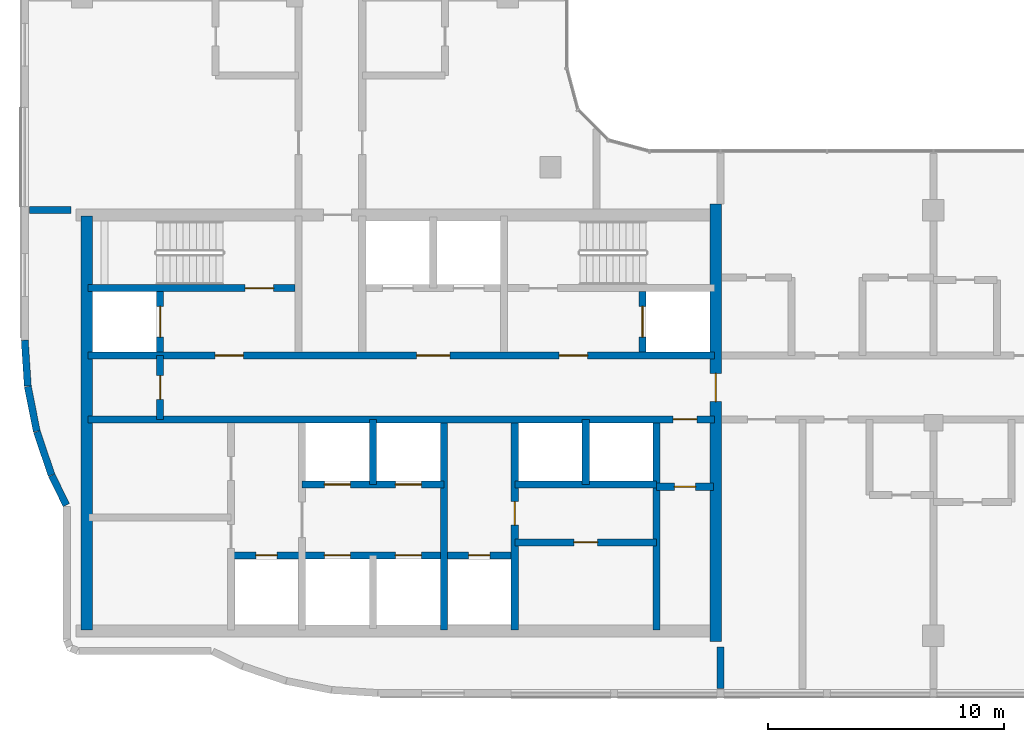
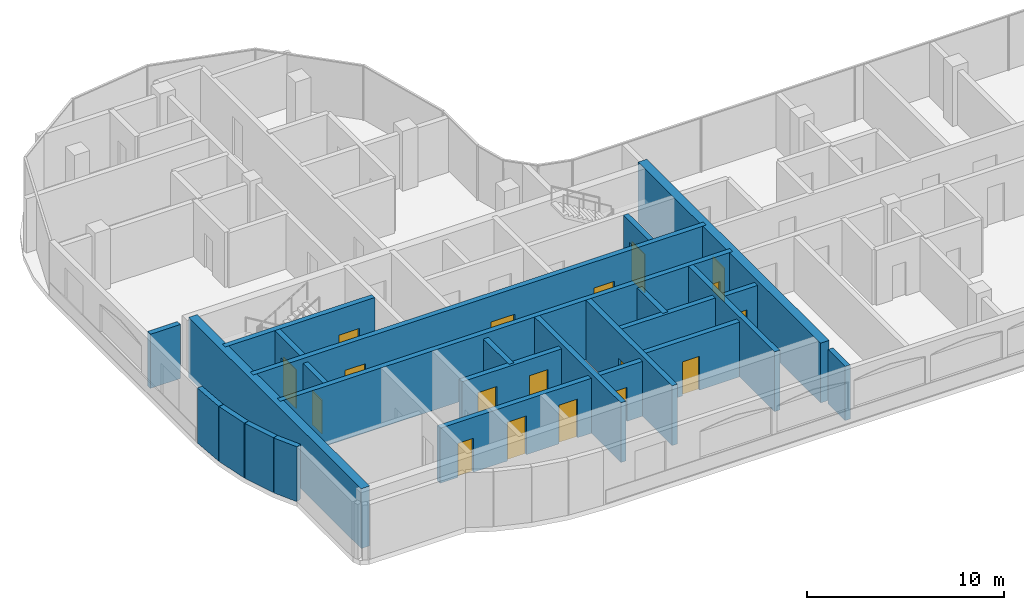
# One storey, part 9 of 18: 24 walls, 18 doors, 18 openings.
"""IFC4 building model written with IfcOpenShell, lengths in metres."""

from ifc_helpers import new_model, si_unit, direction, frame, frame_2d, origin, place, context, subcontext, project, spatial, rectangle, extrude, material, layer, layer_set, type_object, element, fill, save


model = new_model("IFC4")

# Units and contexts
model_context = context("Model", 3, precision=1e-05, world=origin(), true_north=direction((0.0, 1.0)))
body_context = subcontext(model_context, "Body", "Model", "MODEL_VIEW")
ifc_project = project(units=[si_unit("LENGTHUNIT", "METRE"), si_unit("AREAUNIT", "SQUARE_METRE"), si_unit("VOLUMEUNIT", "CUBIC_METRE"), si_unit("PLANEANGLEUNIT", "RADIAN"), si_unit("MASSUNIT", "GRAM", prefix="KILO")], contexts=[model_context])

# Site, building, storey
site_placement = place(None, origin())
site = spatial("IfcSite", under=ifc_project, at=site_placement, CompositionType="ELEMENT")
building_placement = place(site_placement, origin())
building = spatial("IfcBuilding", under=site, at=building_placement, Name="Ogive Portal Towers", CompositionType="ELEMENT")
storey_placement = place(building_placement, frame((0.0, 0.0, 240.199951171875)))
storey = spatial("IfcBuildingStorey", under=building, at=storey_placement, Name="L60", CompositionType="ELEMENT", Elevation=240.199951171875)

# Wall
ifc_material_1 = material(Name="Concrete C60/75", Category="concrete")
ifc_layer_1 = layer(ifc_material_1, 0.300048828125)
ifc_layer_set_1 = layer_set([ifc_layer_1], Name="CORE WALL 300 C60")
wall_type_1 = type_object("IfcWallType", Name="CORE WALL 300 C60", PredefinedType="SHEAR", material=ifc_layer_set_1)
wall_1_placement = place(storey_placement, frame((46.800048828125, 21.75, 0.0), z_axis=(0.0, 0.0, 1.0), x_axis=(0.0, 1.0, 0.0)))
element("IfcWall", 1, at=wall_1_placement, inside=storey, type_object=wall_type_1, Name="Core wall X3 L60", PredefinedType="SHEAR", context=body_context, shape_type="SweptSolid", body=[
    extrude(rectangle(XDim=8.75, YDim=0.300048828125, at=frame_2d((4.375, 0.0))), origin(), (0.0, 0.0, 1.0), 3.699951171875),
])

# Wall, opening, door
wall_2_placement = place(storey_placement, frame((49.800048828125, 21.75, 0.0), z_axis=(0.0, 0.0, 1.0), x_axis=(0.0, 1.0, 0.0)))
wall_2 = element("IfcWall", 2, at=wall_2_placement, inside=storey, type_object=wall_type_1, Name="Core wall X4 L60", PredefinedType="SHEAR", context=body_context, shape_type="SweptSolid", body=[
    extrude(rectangle(XDim=8.75, YDim=0.300048828125, at=frame_2d((4.375, 0.0))), origin(), (0.0, 0.0, 1.0), 3.699951171875),
])
opening_1_placement = place(wall_2_placement, frame((4.425048828125, 0.0, 0.0)))
opening_1 = element("IfcOpeningElement", 3, at=opening_1_placement, cuts=wall_2, Name="Opening D26-023", PredefinedType="OPENING", context=body_context, shape_type="SweptSolid", body=[
    extrude(rectangle(XDim=1.0, YDim=2.10009765625, at=frame_2d((0.5, 1.050048828125))), frame((0.0, 0.16015625, 0.0), z_axis=(0.0, -1.0, 0.0), x_axis=(1.0, 0.0, 0.0)), (0.0, 0.0, 1.0), 0.320068359375),
])
ifc_material_2 = material(Name="Steel fire door", Category="steel")
door_type_1 = type_object("IfcDoorType", Name="DT-SWING-1000x2100-FD90S", OperationType="SINGLE_SWING_LEFT", PredefinedType="DOOR", material=ifc_material_2)
door_1_placement = place(opening_1_placement, origin())
door_1 = element("IfcDoor", 4, at=door_1_placement, inside=storey, type_object=door_type_1, Name="Door D26-023", OperationType="SINGLE_SWING_LEFT", OverallHeight=2.10009765625, OverallWidth=1.0, PredefinedType="DOOR", context=body_context, shape_type="SweptSolid", body=[
    extrude(rectangle(XDim=1.0, YDim=2.10009765625, at=frame_2d((0.5, 1.050048828125))), frame((0.0, 0.02490234375, 0.0), z_axis=(0.0, -1.0, 0.0), x_axis=(1.0, 0.0, 0.0)), (0.0, 0.0, 1.0), 0.050048828125),
])
fill(opening_1, door_1)

# Wall
wall_3_placement = place(storey_placement, frame((55.800048828125, 21.75, 0.0), z_axis=(0.0, 0.0, 1.0), x_axis=(0.0, 1.0, 0.0)))
element("IfcWall", 5, at=wall_3_placement, inside=storey, type_object=wall_type_1, Name="Core wall X5 L60", PredefinedType="SHEAR", context=body_context, shape_type="SweptSolid", body=[
    extrude(rectangle(XDim=8.75, YDim=0.300048828125, at=frame_2d((4.375, 0.0))), origin(), (0.0, 0.0, 1.0), 3.699951171875),
])

# Wall, opening, door
wall_4_placement = place(storey_placement, frame((31.75, 30.64990234375, 0.0), z_axis=(0.0, 0.0, 1.0), x_axis=(1.0, 0.0, 0.0)))
wall_4 = element("IfcWall", 6, at=wall_4_placement, inside=storey, type_object=wall_type_1, Name="Core wall Y1 L60", PredefinedType="SHEAR", context=body_context, shape_type="SweptSolid", body=[
    extrude(rectangle(XDim=26.5, YDim=0.300048828125, at=frame_2d((13.25, 0.0))), origin(), (0.0, 0.0, 1.0), 3.699951171875),
])
opening_2_placement = place(wall_4_placement, frame((24.75, 0.0, 0.0)))
opening_2 = element("IfcOpeningElement", 7, at=opening_2_placement, cuts=wall_4, Name="Opening D26-009", PredefinedType="OPENING", context=body_context, shape_type="SweptSolid", body=[
    extrude(rectangle(XDim=1.0, YDim=2.10009765625, at=frame_2d((0.5, 1.050048828125))), frame((0.0, 0.16015625, 0.0), z_axis=(0.0, -1.0, 0.0), x_axis=(1.0, 0.0, 0.0)), (0.0, 0.0, 1.0), 0.320068359375),
])
door_2_placement = place(opening_2_placement, origin())
door_2 = element("IfcDoor", 8, at=door_2_placement, inside=storey, type_object=door_type_1, Name="Door D26-009", OperationType="SINGLE_SWING_LEFT", OverallHeight=2.10009765625, OverallWidth=1.0, PredefinedType="DOOR", context=body_context, shape_type="SweptSolid", body=[
    extrude(rectangle(XDim=1.0, YDim=2.10009765625, at=frame_2d((0.5, 1.050048828125))), frame((0.0, 0.02490234375, 0.0), z_axis=(0.0, -1.0, 0.0), x_axis=(1.0, 0.0, 0.0)), (0.0, 0.0, 1.0), 0.050048828125),
])
fill(opening_2, door_2)

# Wall, openings, doors
wall_5_placement = place(storey_placement, frame((31.75, 33.35009765625, 0.0), z_axis=(0.0, 0.0, 1.0), x_axis=(1.0, 0.0, 0.0)))
wall_5 = element("IfcWall", 9, at=wall_5_placement, inside=storey, type_object=wall_type_1, Name="Core wall Y2 L60", PredefinedType="SHEAR", context=body_context, shape_type="SweptSolid", body=[
    extrude(rectangle(XDim=26.5, YDim=0.300048828125, at=frame_2d((13.25, 0.0))), origin(), (0.0, 0.0, 1.0), 3.699951171875),
])
opening_3_placement = place(wall_5_placement, frame((13.89990234375, 0.0, 0.0)))
opening_3 = element("IfcOpeningElement", 10, at=opening_3_placement, cuts=wall_5, Name="Opening D26-002", PredefinedType="OPENING", context=body_context, shape_type="SweptSolid", body=[
    extrude(rectangle(XDim=1.39990234375, YDim=2.10009765625, at=frame_2d((0.699951171875, 1.050048828125))), frame((0.0, 0.16015625, 0.0), z_axis=(0.0, -1.0, 0.0), x_axis=(1.0, 0.0, 0.0)), (0.0, 0.0, 1.0), 0.320068359375),
])
opening_4_placement = place(wall_5_placement, frame((5.375, 0.0, 0.0)))
opening_4 = element("IfcOpeningElement", 11, at=opening_4_placement, cuts=wall_5, Name="Opening D26-003", PredefinedType="OPENING", context=body_context, shape_type="SweptSolid", body=[
    extrude(rectangle(XDim=1.199951171875, YDim=2.10009765625, at=frame_2d((0.60009765625, 1.050048828125))), frame((0.0, 0.16015625, 0.0), z_axis=(0.0, -1.0, 0.0), x_axis=(1.0, 0.0, 0.0)), (0.0, 0.0, 1.0), 0.320068359375),
])
opening_5_placement = place(wall_5_placement, frame((19.925048828125, 0.0, 0.0)))
opening_5 = element("IfcOpeningElement", 12, at=opening_5_placement, cuts=wall_5, Name="Opening D26-004", PredefinedType="OPENING", context=body_context, shape_type="SweptSolid", body=[
    extrude(rectangle(XDim=1.199951171875, YDim=2.10009765625, at=frame_2d((0.60009765625, 1.050048828125))), frame((0.0, 0.16015625, 0.0), z_axis=(0.0, -1.0, 0.0), x_axis=(1.0, 0.0, 0.0)), (0.0, 0.0, 1.0), 0.320068359375),
])
door_type_2 = type_object("IfcDoorType", Name="DT-SWING-1200x2100-FD90S", OperationType="SINGLE_SWING_LEFT", PredefinedType="DOOR", material=ifc_material_2)
door_3_placement = place(opening_4_placement, origin())
door_3 = element("IfcDoor", 13, at=door_3_placement, inside=storey, type_object=door_type_2, Name="Door D26-003", OperationType="SINGLE_SWING_LEFT", OverallHeight=2.10009765625, OverallWidth=1.199951171875, PredefinedType="DOOR", context=body_context, shape_type="SweptSolid", body=[
    extrude(rectangle(XDim=1.199951171875, YDim=2.10009765625, at=frame_2d((0.60009765625, 1.050048828125))), frame((0.0, 0.02490234375, 0.0), z_axis=(0.0, -1.0, 0.0), x_axis=(1.0, 0.0, 0.0)), (0.0, 0.0, 1.0), 0.050048828125),
])
fill(opening_4, door_3)
door_4_placement = place(opening_5_placement, origin())
door_4 = element("IfcDoor", 14, at=door_4_placement, inside=storey, type_object=door_type_2, Name="Door D26-004", OperationType="SINGLE_SWING_RIGHT", OverallHeight=2.10009765625, OverallWidth=1.199951171875, PredefinedType="DOOR", context=body_context, shape_type="SweptSolid", body=[
    extrude(rectangle(XDim=1.199951171875, YDim=2.10009765625, at=frame_2d((0.60009765625, 1.050048828125))), frame((0.0, 0.02490234375, 0.0), z_axis=(0.0, -1.0, 0.0), x_axis=(1.0, 0.0, 0.0)), (0.0, 0.0, 1.0), 0.050048828125),
])
fill(opening_5, door_4)
door_type_3 = type_object("IfcDoorType", Name="DT-SWING-1400x2100-FD90S", OperationType="SINGLE_SWING_LEFT", PredefinedType="DOOR", material=ifc_material_2)
door_5_placement = place(opening_3_placement, origin())
door_5 = element("IfcDoor", 15, at=door_5_placement, inside=storey, type_object=door_type_3, Name="Door D26-002", OperationType="SINGLE_SWING_RIGHT", OverallHeight=2.10009765625, OverallWidth=1.39990234375, PredefinedType="DOOR", context=body_context, shape_type="SweptSolid", body=[
    extrude(rectangle(XDim=1.39990234375, YDim=2.10009765625, at=frame_2d((0.699951171875, 1.050048828125))), frame((0.0, 0.02490234375, 0.0), z_axis=(0.0, -1.0, 0.0), x_axis=(1.0, 0.0, 0.0)), (0.0, 0.0, 1.0), 0.050048828125),
])
fill(opening_3, door_5)

# Wall, opening, door
wall_6_placement = place(storey_placement, frame((31.75, 36.199951171875, 0.0), z_axis=(0.0, 0.0, 1.0), x_axis=(1.0, 0.0, 0.0)))
wall_6 = element("IfcWall", 16, at=wall_6_placement, inside=storey, type_object=wall_type_1, Name="Core wall Y3a L60", PredefinedType="SHEAR", context=body_context, shape_type="SweptSolid", body=[
    extrude(rectangle(XDim=8.75, YDim=0.300048828125, at=frame_2d((4.375, 0.0))), origin(), (0.0, 0.0, 1.0), 3.699951171875),
])
opening_6_placement = place(wall_6_placement, frame((6.64990234375, 0.0, 0.0)))
opening_6 = element("IfcOpeningElement", 17, at=opening_6_placement, cuts=wall_6, Name="Opening D26-005", PredefinedType="OPENING", context=body_context, shape_type="SweptSolid", body=[
    extrude(rectangle(XDim=1.199951171875, YDim=2.10009765625, at=frame_2d((0.60009765625, 1.050048828125))), frame((0.0, 0.16015625, 0.0), z_axis=(0.0, -1.0, 0.0), x_axis=(1.0, 0.0, 0.0)), (0.0, 0.0, 1.0), 0.320068359375),
])
door_6_placement = place(opening_6_placement, origin())
door_6 = element("IfcDoor", 18, at=door_6_placement, inside=storey, type_object=door_type_2, Name="Door D26-005", OperationType="SINGLE_SWING_RIGHT", OverallHeight=2.10009765625, OverallWidth=1.199951171875, PredefinedType="DOOR", context=body_context, shape_type="SweptSolid", body=[
    extrude(rectangle(XDim=1.199951171875, YDim=2.10009765625, at=frame_2d((0.60009765625, 1.050048828125))), frame((0.0, 0.02490234375, 0.0), z_axis=(0.0, -1.0, 0.0), x_axis=(1.0, 0.0, 0.0)), (0.0, 0.0, 1.0), 0.050048828125),
])
fill(opening_6, door_6)

wall_7_placement = place(storey_placement, frame((34.800048828125, 33.5, 0.0), z_axis=(0.0, 0.0, 1.0), x_axis=(0.0, 1.0, 0.0)))
wall_7 = element("IfcWall", 19, at=wall_7_placement, inside=storey, type_object=wall_type_1, Name="Core wall X8 L60", PredefinedType="SHEAR", context=body_context, shape_type="SweptSolid", body=[
    extrude(rectangle(XDim=2.550048828125, YDim=0.300048828125, at=frame_2d((1.27490234375, 0.0))), origin(), (0.0, 0.0, 1.0), 3.699951171875),
])
opening_7_placement = place(wall_7_placement, frame((0.625, 0.0, 0.0)))
opening_7 = element("IfcOpeningElement", 20, at=opening_7_placement, cuts=wall_7, Name="Opening D26-019", PredefinedType="OPENING", context=body_context, shape_type="SweptSolid", body=[
    extrude(rectangle(XDim=1.300048828125, YDim=2.39990234375, at=frame_2d((0.64990234375, 1.199951171875))), frame((0.0, 0.16015625, 0.0), z_axis=(0.0, -1.0, 0.0), x_axis=(1.0, 0.0, 0.0)), (0.0, 0.0, 1.0), 0.320068359375),
])
ifc_material_3 = material(Name="Stainless steel", Category="steel")
door_type_4 = type_object("IfcDoorType", Name="DT-LD-1300x2400", OperationType="SLIDING_TO_LEFT", PredefinedType="DOOR", material=ifc_material_3)
door_7_placement = place(opening_7_placement, origin())
door_7 = element("IfcDoor", 21, at=door_7_placement, inside=storey, type_object=door_type_4, Name="Door D26-019", OperationType="SLIDING_TO_LEFT", OverallHeight=2.39990234375, OverallWidth=1.300048828125, PredefinedType="DOOR", context=body_context, shape_type="SweptSolid", body=[
    extrude(rectangle(XDim=1.300048828125, YDim=2.39990234375, at=frame_2d((0.64990234375, 1.199951171875))), frame((0.0, 0.02490234375, 0.0), z_axis=(0.0, -1.0, 0.0), x_axis=(1.0, 0.0, 0.0)), (0.0, 0.0, 1.0), 0.050048828125),
])
fill(opening_7, door_7)

wall_8_placement = place(storey_placement, frame((55.199951171875, 33.5, 0.0), z_axis=(0.0, 0.0, 1.0), x_axis=(0.0, 1.0, 0.0)))
wall_8 = element("IfcWall", 22, at=wall_8_placement, inside=storey, type_object=wall_type_1, Name="Core wall X10 L60", PredefinedType="SHEAR", context=body_context, shape_type="SweptSolid", body=[
    extrude(rectangle(XDim=2.550048828125, YDim=0.300048828125, at=frame_2d((1.27490234375, 0.0))), origin(), (0.0, 0.0, 1.0), 3.699951171875),
])
opening_8_placement = place(wall_8_placement, frame((0.625, 0.0, 0.0)))
opening_8 = element("IfcOpeningElement", 23, at=opening_8_placement, cuts=wall_8, Name="Opening D26-020", PredefinedType="OPENING", context=body_context, shape_type="SweptSolid", body=[
    extrude(rectangle(XDim=1.300048828125, YDim=2.39990234375, at=frame_2d((0.64990234375, 1.199951171875))), frame((0.0, 0.16015625, 0.0), z_axis=(0.0, -1.0, 0.0), x_axis=(1.0, 0.0, 0.0)), (0.0, 0.0, 1.0), 0.320068359375),
])
door_8_placement = place(opening_8_placement, origin())
door_8 = element("IfcDoor", 24, at=door_8_placement, inside=storey, type_object=door_type_4, Name="Door D26-020", OperationType="SLIDING_TO_LEFT", OverallHeight=2.39990234375, OverallWidth=1.300048828125, PredefinedType="DOOR", context=body_context, shape_type="SweptSolid", body=[
    extrude(rectangle(XDim=1.300048828125, YDim=2.39990234375, at=frame_2d((0.64990234375, 1.199951171875))), frame((0.0, 0.02490234375, 0.0), z_axis=(0.0, -1.0, 0.0), x_axis=(1.0, 0.0, 0.0)), (0.0, 0.0, 1.0), 0.050048828125),
])
fill(opening_8, door_8)

# Wall
ifc_layer_2 = layer(ifc_material_1, 0.5)
ifc_layer_set_2 = layer_set([ifc_layer_2], Name="CORE WALL 500 C60")
wall_type_2 = type_object("IfcWallType", Name="CORE WALL 500 C60", PredefinedType="SHEAR", material=ifc_layer_set_2)
wall_9_placement = place(storey_placement, frame((31.699951171875, 21.75, 0.0), z_axis=(0.0, 0.0, 1.0), x_axis=(0.0, 1.0, 0.0)))
element("IfcWall", 25, at=wall_9_placement, inside=storey, type_object=wall_type_2, Name="Core wall W L60", PredefinedType="SHEAR", context=body_context, shape_type="SweptSolid", body=[
    extrude(rectangle(XDim=17.5, YDim=0.5, at=frame_2d((8.75, 0.0))), origin(), (0.0, 0.0, 1.0), 3.699951171875),
])

# Wall, opening, door
wall_10_placement = place(storey_placement, frame((58.300048828125, 21.25, 0.0), z_axis=(0.0, 0.0, 1.0), x_axis=(0.0, 1.0, 0.0)))
wall_10 = element("IfcWall", 26, at=wall_10_placement, inside=storey, type_object=wall_type_2, Name="Core wall E L60", PredefinedType="SHEAR", context=body_context, shape_type="SweptSolid", body=[
    extrude(rectangle(XDim=18.5, YDim=0.5, at=frame_2d((9.25, 0.0))), origin(), (0.0, 0.0, 1.0), 3.699951171875),
])
opening_9_placement = place(wall_10_placement, frame((10.14990234375, 0.0, 0.0)))
opening_9 = element("IfcOpeningElement", 27, at=opening_9_placement, cuts=wall_10, Name="Opening D26-011", PredefinedType="OPENING", context=body_context, shape_type="SweptSolid", body=[
    extrude(rectangle(XDim=1.199951171875, YDim=2.10009765625, at=frame_2d((0.60009765625, 1.050048828125))), frame((0.0, 0.260009765625, 0.0), z_axis=(0.0, -1.0, 0.0), x_axis=(1.0, 0.0, 0.0)), (0.0, 0.0, 1.0), 0.52001953125),
])
door_9_placement = place(opening_9_placement, origin())
door_9 = element("IfcDoor", 28, at=door_9_placement, inside=storey, type_object=door_type_2, Name="Door D26-011", OperationType="SINGLE_SWING_LEFT", OverallHeight=2.10009765625, OverallWidth=1.199951171875, PredefinedType="DOOR", context=body_context, shape_type="SweptSolid", body=[
    extrude(rectangle(XDim=1.199951171875, YDim=2.10009765625, at=frame_2d((0.60009765625, 1.050048828125))), frame((0.0, 0.02490234375, 0.0), z_axis=(0.0, -1.0, 0.0), x_axis=(1.0, 0.0, 0.0)), (0.0, 0.0, 1.0), 0.050048828125),
])
fill(opening_9, door_9)

# Walls
ifc_material_4 = material(Name="Limestone cladding on lightweight block wall", Category="masonry")
ifc_layer_3 = layer(ifc_material_4, 0.300048828125)
ifc_layer_set_3 = layer_set([ifc_layer_3], Name="EXTERNAL WALL 300 STONE")
wall_type_3 = type_object("IfcWallType", Name="EXTERNAL WALL 300 STONE", PredefinedType="SOLIDWALL", material=ifc_layer_set_3)
wall_11_placement = place(storey_placement, frame((29.075439453125, 34.0, 0.0), z_axis=(0.0, 0.0, 1.0), x_axis=(0.065359381612, -0.997861789646, 0.0)))
element("IfcWall", 29, at=wall_11_placement, inside=storey, type_object=wall_type_3, Name="A:L60:f28:r0:wall", PredefinedType="SOLIDWALL", context=body_context, shape_type="SweptSolid", body=[
    extrude(rectangle(XDim=1.9423828125, YDim=0.300048828125, at=frame_2d((0.97119140625, 0.0))), origin(), (0.0, 0.0, 1.0), 3.400146484375),
])
wall_12_placement = place(storey_placement, frame((29.204833984375, 32.042236328125, 0.0), z_axis=(0.0, 0.0, 1.0), x_axis=(0.195192806162, -0.980764889473, 0.0)))
element("IfcWall", 30, at=wall_12_placement, inside=storey, type_object=wall_type_3, Name="A:L60:f29:r0:wall", PredefinedType="SOLIDWALL", context=body_context, shape_type="SweptSolid", body=[
    extrude(rectangle(XDim=1.932373046875, YDim=0.300048828125, at=frame_2d((0.96630859375, 0.0))), origin(), (0.0, 0.0, 1.0), 3.400146484375),
])
wall_13_placement = place(storey_placement, frame((29.5869140625, 30.1279296875, 0.0), z_axis=(0.0, 0.0, 1.0), x_axis=(0.321490535672, -0.946912791905, 0.0)))
element("IfcWall", 31, at=wall_13_placement, inside=storey, type_object=wall_type_3, Name="A:L60:f30:r0:wall", PredefinedType="SOLIDWALL", context=body_context, shape_type="SweptSolid", body=[
    extrude(rectangle(XDim=1.9326171875, YDim=0.300048828125, at=frame_2d((0.96630859375, 0.0))), origin(), (0.0, 0.0, 1.0), 3.400146484375),
])
wall_14_placement = place(storey_placement, frame((30.2158203125, 28.27978515625, 0.0), z_axis=(0.0, 0.0, 1.0), x_axis=(0.442180959254, -0.896925860522, 0.0)))
element("IfcWall", 32, at=wall_14_placement, inside=storey, type_object=wall_type_3, Name="A:L60:f31:r0:wall", PredefinedType="SOLIDWALL", context=body_context, shape_type="SweptSolid", body=[
    extrude(rectangle(XDim=1.399169921875, YDim=0.300048828125, at=frame_2d((0.69970703125, 0.0))), origin(), (0.0, 0.0, 1.0), 3.400146484375),
])

# Wall, opening, door
ifc_material_5 = material(Name="Gypsum board partition on steel studs", Category="steel")
ifc_layer_4 = layer(ifc_material_5, 0.300048828125)
ifc_layer_set_4 = layer_set([ifc_layer_4], Name="WT-PART-300")
wall_type_4 = type_object("IfcWallType", Name="WT-PART-300", PredefinedType="PARTITIONING", material=ifc_layer_set_4)
wall_15_placement = place(storey_placement, frame((49.800048828125, 25.449951171875, 0.0), z_axis=(0.0, 0.0, 1.0), x_axis=(1.0, 0.0, 0.0)))
wall_15 = element("IfcWall", 33, at=wall_15_placement, inside=storey, type_object=wall_type_4, Name="Wall pw:002:L60", PredefinedType="PARTITIONING", context=body_context, shape_type="SweptSolid", body=[
    extrude(rectangle(XDim=6.0, YDim=0.300048828125, at=frame_2d((3.0, 0.0))), origin(), (0.0, 0.0, 1.0), 3.400146484375),
])
opening_10_placement = place(wall_15_placement, frame((2.5, 0.0, 0.0)))
opening_10 = element("IfcOpeningElement", 34, at=opening_10_placement, cuts=wall_15, Name="Opening D26-024", PredefinedType="OPENING", context=body_context, shape_type="SweptSolid", body=[
    extrude(rectangle(XDim=1.0, YDim=2.10009765625, at=frame_2d((0.5, 1.050048828125))), frame((0.0, 0.16015625, 0.0), z_axis=(0.0, -1.0, 0.0), x_axis=(1.0, 0.0, 0.0)), (0.0, 0.0, 1.0), 0.320068359375),
])
door_type_5 = type_object("IfcDoorType", Name="DT-SWING-1000x2100-FD60S", OperationType="SINGLE_SWING_LEFT", PredefinedType="DOOR", material=ifc_material_2)
door_10_placement = place(opening_10_placement, origin())
door_10 = element("IfcDoor", 35, at=door_10_placement, inside=storey, type_object=door_type_5, Name="Door D26-024", OperationType="SINGLE_SWING_RIGHT", OverallHeight=2.10009765625, OverallWidth=1.0, PredefinedType="DOOR", context=body_context, shape_type="SweptSolid", body=[
    extrude(rectangle(XDim=1.0, YDim=2.10009765625, at=frame_2d((0.5, 1.050048828125))), frame((0.0, 0.02490234375, 0.0), z_axis=(0.0, -1.0, 0.0), x_axis=(1.0, 0.0, 0.0)), (0.0, 0.0, 1.0), 0.050048828125),
])
fill(opening_10, door_10)

wall_16_placement = place(storey_placement, frame((55.800048828125, 27.800048828125, 0.0), z_axis=(0.0, 0.0, 1.0), x_axis=(1.0, 0.0, 0.0)))
wall_16 = element("IfcWall", 36, at=wall_16_placement, inside=storey, type_object=wall_type_4, Name="Wall pw:004:L60", PredefinedType="PARTITIONING", context=body_context, shape_type="SweptSolid", body=[
    extrude(rectangle(XDim=2.39990234375, YDim=0.300048828125, at=frame_2d((1.199951171875, 0.0))), origin(), (0.0, 0.0, 1.0), 3.400146484375),
])
opening_11_placement = place(wall_16_placement, frame((0.75, 0.0, 0.0)))
opening_11 = element("IfcOpeningElement", 37, at=opening_11_placement, cuts=wall_16, Name="Opening D26-010", PredefinedType="OPENING", context=body_context, shape_type="SweptSolid", body=[
    extrude(rectangle(XDim=0.89990234375, YDim=2.10009765625, at=frame_2d((0.449951171875, 1.050048828125))), frame((0.0, 0.16015625, 0.0), z_axis=(0.0, -1.0, 0.0), x_axis=(1.0, 0.0, 0.0)), (0.0, 0.0, 1.0), 0.320068359375),
])
door_type_6 = type_object("IfcDoorType", Name="DT-SWING-900x2100-FD60S", OperationType="SINGLE_SWING_LEFT", PredefinedType="DOOR", material=ifc_material_2)
door_11_placement = place(opening_11_placement, origin())
door_11 = element("IfcDoor", 38, at=door_11_placement, inside=storey, type_object=door_type_6, Name="Door D26-010", OperationType="SINGLE_SWING_RIGHT", OverallHeight=2.10009765625, OverallWidth=0.89990234375, PredefinedType="DOOR", context=body_context, shape_type="SweptSolid", body=[
    extrude(rectangle(XDim=0.89990234375, YDim=2.10009765625, at=frame_2d((0.449951171875, 1.050048828125))), frame((0.0, 0.02490234375, 0.0), z_axis=(0.0, -1.0, 0.0), x_axis=(1.0, 0.0, 0.0)), (0.0, 0.0, 1.0), 0.050048828125),
])
fill(opening_11, door_11)

# Walls
ifc_layer_5 = layer(ifc_material_5, 0.300048828125)
ifc_layer_set_5 = layer_set([ifc_layer_5], Name="WT-PART-300-EI 60")
wall_type_5 = type_object("IfcWallType", Name="WT-PART-300-EI 60", PredefinedType="PARTITIONING", material=ifc_layer_set_5)
for number, where, z_axis, x_axis, name in (
    (39, (29.27490234375, 39.5, 0.0), (0.0, 0.0, 1.0), (1.0, 0.0, 0.0), "Wall L60:w013"),
    (40, (58.5, 19.27490234375, 0.0), (0.0, 0.0, 1.0), (0.0, 1.0, 0.0), "Wall L60:w033"),
):
    element("IfcWall", number, at=place(storey_placement, frame(where, z_axis=z_axis, x_axis=x_axis)), inside=storey, type_object=wall_type_5, Name=name, PredefinedType="PARTITIONING", context=body_context, shape_type="SweptSolid", body=[
        extrude(rectangle(XDim=1.755126953125, YDim=0.300048828125, at=frame_2d((0.87744140625, 0.0))), origin(), (0.0, 0.0, 1.0), 3.35009765625),
    ])

# Wall, openings, doors
ifc_material_6 = material(Name="Concrete C40/50", Category="concrete")
ifc_layer_6 = layer(ifc_material_6, 0.300048828125)
ifc_layer_set_6 = layer_set([ifc_layer_6], Name="WT-SHAFT-300")
wall_type_6 = type_object("IfcWallType", Name="WT-SHAFT-300", PredefinedType="SOLIDWALL", material=ifc_layer_set_6)
wall_17_placement = place(storey_placement, frame((37.800048828125, 24.89990234375, 0.0), z_axis=(0.0, 0.0, 1.0), x_axis=(1.0, 0.0, 0.0)))
wall_17 = element("IfcWall", 41, at=wall_17_placement, inside=storey, type_object=wall_type_6, Name="Wall pw:001:L60", PredefinedType="SOLIDWALL", context=body_context, shape_type="SweptSolid", body=[
    extrude(rectangle(XDim=12.0, YDim=0.300048828125, at=frame_2d((6.0, 0.0))), origin(), (0.0, 0.0, 1.0), 3.400146484375),
])
opening_12_placement = place(wall_17_placement, frame((1.050048828125, 0.0, 0.0)))
opening_12 = element("IfcOpeningElement", 42, at=opening_12_placement, cuts=wall_17, Name="Opening D26-007", PredefinedType="OPENING", context=body_context, shape_type="SweptSolid", body=[
    extrude(rectangle(XDim=0.89990234375, YDim=2.10009765625, at=frame_2d((0.449951171875, 1.050048828125))), frame((0.0, 0.16015625, 0.0), z_axis=(0.0, -1.0, 0.0), x_axis=(1.0, 0.0, 0.0)), (0.0, 0.0, 1.0), 0.320068359375),
])
opening_13_placement = place(wall_17_placement, frame((10.050048828125, 0.0, 0.0)))
opening_13 = element("IfcOpeningElement", 43, at=opening_13_placement, cuts=wall_17, Name="Opening D26-008", PredefinedType="OPENING", context=body_context, shape_type="SweptSolid", body=[
    extrude(rectangle(XDim=0.89990234375, YDim=2.10009765625, at=frame_2d((0.449951171875, 1.050048828125))), frame((0.0, 0.16015625, 0.0), z_axis=(0.0, -1.0, 0.0), x_axis=(1.0, 0.0, 0.0)), (0.0, 0.0, 1.0), 0.320068359375),
])
opening_14_placement = place(wall_17_placement, frame((3.949951171875, 0.0, 0.0)))
opening_14 = element("IfcOpeningElement", 44, at=opening_14_placement, cuts=wall_17, Name="Opening D26-013", PredefinedType="OPENING", context=body_context, shape_type="SweptSolid", body=[
    extrude(rectangle(XDim=1.10009765625, YDim=2.39990234375, at=frame_2d((0.550048828125, 1.199951171875))), frame((0.0, 0.16015625, 0.0), z_axis=(0.0, -1.0, 0.0), x_axis=(1.0, 0.0, 0.0)), (0.0, 0.0, 1.0), 0.320068359375),
])
opening_15_placement = place(wall_17_placement, frame((6.949951171875, 0.0, 0.0)))
opening_15 = element("IfcOpeningElement", 45, at=opening_15_placement, cuts=wall_17, Name="Opening D26-014", PredefinedType="OPENING", context=body_context, shape_type="SweptSolid", body=[
    extrude(rectangle(XDim=1.10009765625, YDim=2.39990234375, at=frame_2d((0.550048828125, 1.199951171875))), frame((0.0, 0.16015625, 0.0), z_axis=(0.0, -1.0, 0.0), x_axis=(1.0, 0.0, 0.0)), (0.0, 0.0, 1.0), 0.320068359375),
])
door_type_7 = type_object("IfcDoorType", Name="DT-LD-1100x2400", OperationType="SLIDING_TO_LEFT", PredefinedType="DOOR", material=ifc_material_3)
door_12_placement = place(opening_14_placement, origin())
door_12 = element("IfcDoor", 46, at=door_12_placement, inside=storey, type_object=door_type_7, Name="Door D26-013", OperationType="SLIDING_TO_LEFT", OverallHeight=2.39990234375, OverallWidth=1.10009765625, PredefinedType="DOOR", context=body_context, shape_type="SweptSolid", body=[
    extrude(rectangle(XDim=1.10009765625, YDim=2.39990234375, at=frame_2d((0.550048828125, 1.199951171875))), frame((0.0, 0.02490234375, 0.0), z_axis=(0.0, -1.0, 0.0), x_axis=(1.0, 0.0, 0.0)), (0.0, 0.0, 1.0), 0.050048828125),
])
fill(opening_14, door_12)
door_13_placement = place(opening_15_placement, origin())
door_13 = element("IfcDoor", 47, at=door_13_placement, inside=storey, type_object=door_type_7, Name="Door D26-014", OperationType="SLIDING_TO_LEFT", OverallHeight=2.39990234375, OverallWidth=1.10009765625, PredefinedType="DOOR", context=body_context, shape_type="SweptSolid", body=[
    extrude(rectangle(XDim=1.10009765625, YDim=2.39990234375, at=frame_2d((0.550048828125, 1.199951171875))), frame((0.0, 0.02490234375, 0.0), z_axis=(0.0, -1.0, 0.0), x_axis=(1.0, 0.0, 0.0)), (0.0, 0.0, 1.0), 0.050048828125),
])
fill(opening_15, door_13)
door_type_8 = type_object("IfcDoorType", Name="DT-SWING-900x2100-FD90S", OperationType="SINGLE_SWING_LEFT", PredefinedType="DOOR", material=ifc_material_2)
door_14_placement = place(opening_12_placement, origin())
door_14 = element("IfcDoor", 48, at=door_14_placement, inside=storey, type_object=door_type_8, Name="Riser access door D26-007", OperationType="SINGLE_SWING_LEFT", OverallHeight=2.10009765625, OverallWidth=0.89990234375, PredefinedType="DOOR", context=body_context, shape_type="SweptSolid", body=[
    extrude(rectangle(XDim=0.89990234375, YDim=2.10009765625, at=frame_2d((0.449951171875, 1.050048828125))), frame((0.0, 0.02490234375, 0.0), z_axis=(0.0, -1.0, 0.0), x_axis=(1.0, 0.0, 0.0)), (0.0, 0.0, 1.0), 0.050048828125),
])
fill(opening_12, door_14)
door_15_placement = place(opening_13_placement, origin())
door_15 = element("IfcDoor", 49, at=door_15_placement, inside=storey, type_object=door_type_8, Name="Riser access door D26-008", OperationType="SINGLE_SWING_RIGHT", OverallHeight=2.10009765625, OverallWidth=0.89990234375, PredefinedType="DOOR", context=body_context, shape_type="SweptSolid", body=[
    extrude(rectangle(XDim=0.89990234375, YDim=2.10009765625, at=frame_2d((0.449951171875, 1.050048828125))), frame((0.0, 0.02490234375, 0.0), z_axis=(0.0, -1.0, 0.0), x_axis=(1.0, 0.0, 0.0)), (0.0, 0.0, 1.0), 0.050048828125),
])
fill(opening_13, door_15)

wall_18_placement = place(storey_placement, frame((40.800048828125, 27.89990234375, 0.0), z_axis=(0.0, 0.0, 1.0), x_axis=(1.0, 0.0, 0.0)))
wall_18 = element("IfcWall", 50, at=wall_18_placement, inside=storey, type_object=wall_type_6, Name="Wall pw:005:L60", PredefinedType="SOLIDWALL", context=body_context, shape_type="SweptSolid", body=[
    extrude(rectangle(XDim=6.0, YDim=0.300048828125, at=frame_2d((3.0, 0.0))), origin(), (0.0, 0.0, 1.0), 3.400146484375),
])
opening_16_placement = place(wall_18_placement, frame((0.949951171875, 0.0, 0.0)))
opening_16 = element("IfcOpeningElement", 51, at=opening_16_placement, cuts=wall_18, Name="Opening D26-015", PredefinedType="OPENING", context=body_context, shape_type="SweptSolid", body=[
    extrude(rectangle(XDim=1.10009765625, YDim=2.39990234375, at=frame_2d((0.550048828125, 1.199951171875))), frame((0.0, 0.16015625, 0.0), z_axis=(0.0, -1.0, 0.0), x_axis=(1.0, 0.0, 0.0)), (0.0, 0.0, 1.0), 0.320068359375),
])
opening_17_placement = place(wall_18_placement, frame((3.949951171875, 0.0, 0.0)))
opening_17 = element("IfcOpeningElement", 52, at=opening_17_placement, cuts=wall_18, Name="Opening D26-016", PredefinedType="OPENING", context=body_context, shape_type="SweptSolid", body=[
    extrude(rectangle(XDim=1.10009765625, YDim=2.39990234375, at=frame_2d((0.550048828125, 1.199951171875))), frame((0.0, 0.16015625, 0.0), z_axis=(0.0, -1.0, 0.0), x_axis=(1.0, 0.0, 0.0)), (0.0, 0.0, 1.0), 0.320068359375),
])
door_16_placement = place(opening_16_placement, origin())
door_16 = element("IfcDoor", 53, at=door_16_placement, inside=storey, type_object=door_type_7, Name="Door D26-015", OperationType="SLIDING_TO_LEFT", OverallHeight=2.39990234375, OverallWidth=1.10009765625, PredefinedType="DOOR", context=body_context, shape_type="SweptSolid", body=[
    extrude(rectangle(XDim=1.10009765625, YDim=2.39990234375, at=frame_2d((0.550048828125, 1.199951171875))), frame((0.0, 0.02490234375, 0.0), z_axis=(0.0, -1.0, 0.0), x_axis=(1.0, 0.0, 0.0)), (0.0, 0.0, 1.0), 0.050048828125),
])
fill(opening_16, door_16)
door_17_placement = place(opening_17_placement, origin())
door_17 = element("IfcDoor", 54, at=door_17_placement, inside=storey, type_object=door_type_7, Name="Door D26-016", OperationType="SLIDING_TO_LEFT", OverallHeight=2.39990234375, OverallWidth=1.10009765625, PredefinedType="DOOR", context=body_context, shape_type="SweptSolid", body=[
    extrude(rectangle(XDim=1.10009765625, YDim=2.39990234375, at=frame_2d((0.550048828125, 1.199951171875))), frame((0.0, 0.02490234375, 0.0), z_axis=(0.0, -1.0, 0.0), x_axis=(1.0, 0.0, 0.0)), (0.0, 0.0, 1.0), 0.050048828125),
])
fill(opening_17, door_17)

# Wall
wall_19_placement = place(storey_placement, frame((49.800048828125, 27.89990234375, 0.0), z_axis=(0.0, 0.0, 1.0), x_axis=(1.0, 0.0, 0.0)))
element("IfcWall", 55, at=wall_19_placement, inside=storey, type_object=wall_type_6, Name="Wall pw:006:L60", PredefinedType="SOLIDWALL", context=body_context, shape_type="SweptSolid", body=[
    extrude(rectangle(XDim=6.0, YDim=0.300048828125, at=frame_2d((3.0, 0.0))), origin(), (0.0, 0.0, 1.0), 3.400146484375),
])

# Wall, opening, door
wall_20_placement = place(storey_placement, frame((34.800048828125, 30.64990234375, 0.0), z_axis=(0.0, 0.0, 1.0), x_axis=(0.0, 1.0, 0.0)))
wall_20 = element("IfcWall", 56, at=wall_20_placement, inside=storey, type_object=wall_type_6, Name="Wall pw:007:L60", PredefinedType="SOLIDWALL", context=body_context, shape_type="SweptSolid", body=[
    extrude(rectangle(XDim=2.7001953125, YDim=0.300048828125, at=frame_2d((1.35009765625, 0.0))), origin(), (0.0, 0.0, 1.0), 3.400146484375),
])
opening_18_placement = place(wall_20_placement, frame((0.85009765625, 0.0, 0.0)))
opening_18 = element("IfcOpeningElement", 57, at=opening_18_placement, cuts=wall_20, Name="Opening D26-025", PredefinedType="OPENING", context=body_context, shape_type="SweptSolid", body=[
    extrude(rectangle(XDim=1.0, YDim=2.10009765625, at=frame_2d((0.5, 1.050048828125))), frame((0.0, 0.16015625, 0.0), z_axis=(0.0, -1.0, 0.0), x_axis=(1.0, 0.0, 0.0)), (0.0, 0.0, 1.0), 0.320068359375),
])
door_18_placement = place(opening_18_placement, origin())
door_18 = element("IfcDoor", 58, at=door_18_placement, inside=storey, type_object=door_type_1, Name="Door D26-025", OperationType="SINGLE_SWING_LEFT", OverallHeight=2.10009765625, OverallWidth=1.0, PredefinedType="DOOR", context=body_context, shape_type="SweptSolid", body=[
    extrude(rectangle(XDim=1.0, YDim=2.10009765625, at=frame_2d((0.5, 1.050048828125))), frame((0.0, 0.02490234375, 0.0), z_axis=(0.0, -1.0, 0.0), x_axis=(1.0, 0.0, 0.0)), (0.0, 0.0, 1.0), 0.050048828125),
])
fill(opening_18, door_18)

# Walls
for number, where, z_axis, x_axis, name in (
    (59, (43.800048828125, 27.89990234375, 0.0), (0.0, 0.0, 1.0), (0.0, 1.0, 0.0), "Wall pw:009:L60"),
    (60, (52.800048828125, 27.89990234375, 0.0), (0.0, 0.0, 1.0), (0.0, 1.0, 0.0), "Wall pw:011:L60"),
):
    element("IfcWall", number, at=place(storey_placement, frame(where, z_axis=z_axis, x_axis=x_axis)), inside=storey, type_object=wall_type_6, Name=name, PredefinedType="SOLIDWALL", context=body_context, shape_type="SweptSolid", body=[
        extrude(rectangle(XDim=2.75, YDim=0.300048828125, at=frame_2d((1.375, 0.0))), origin(), (0.0, 0.0, 1.0), 3.400146484375),
    ])

save(model, "model.ifc")
